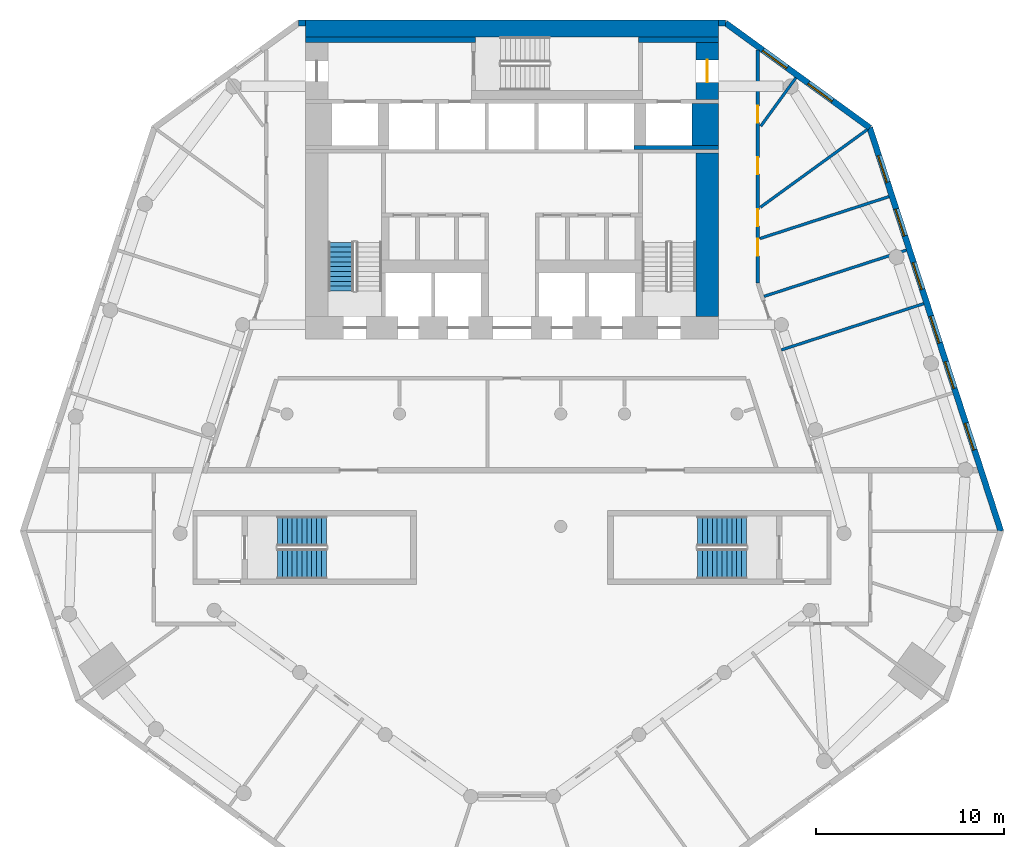
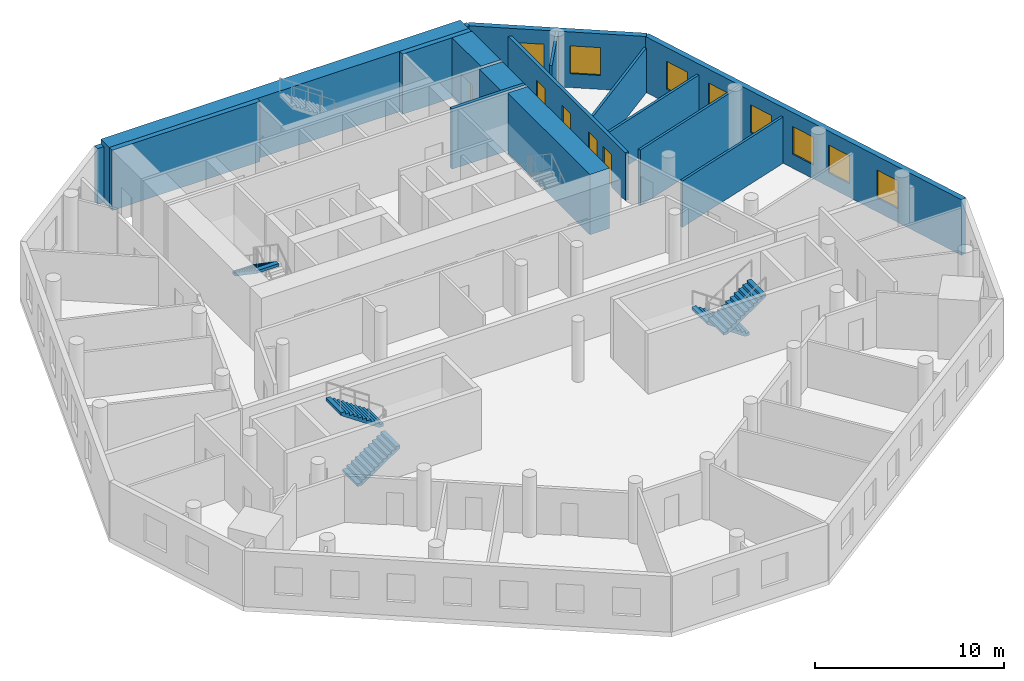
# One storey, part 6 of 9: 17 walls, 8 windows, 5 doors, 5 stair flights, 13 openings, 3 elements without a shape of their own.
"""IFC4 building model written with IfcOpenShell, lengths in metres."""

import ifcopenshell
import ifcopenshell.guid

model = None  # the IFC model being written
_history = None  # IfcOwnerHistory: only IFC2X3 demands one
_inside = {}  # id of a spatial element -> (the spatial element, [elements in it])
_under = {}  # id of a project, library or spatial element -> (it, [spatial elements below it])
_declared = {}  # id of a project -> (the project, [libraries it declares])
_typed = {}  # id of a type object -> (the type object, [elements of that type])
_made_of = {}  # id of a material, layer set ... -> (it, [elements and type objects made of it])


def new_model(schema):
    """Start an empty IFC model of exactly this schema.

    Asked for "IFC4X3", IfcOpenShell would pick the latest addendum, in which some entities
    have other attributes; the version numbers below select the first issue.
    IFC2X3 requires an IfcOwnerHistory on every rooted entity: one is made here for all.
    """
    global model, _history
    if schema == "IFC4X3":
        model = ifcopenshell.file(schema_version=(4, 3, 0, 0))
    else:
        model = ifcopenshell.file(schema=schema)
    _inside.clear()
    _under.clear()
    _declared.clear()
    _typed.clear()
    _made_of.clear()
    _history = None
    if model.schema == "IFC2X3":
        org = make("IfcOrganization", Name="unknown")
        user = make(
            "IfcPersonAndOrganization",
            ThePerson=make("IfcPerson", FamilyName="unknown"),
            TheOrganization=org,
        )
        app = make(
            "IfcApplication",
            ApplicationDeveloper=org,
            Version="unknown",
            ApplicationFullName="unknown",
            ApplicationIdentifier="unknown",
        )
        _history = make(
            "IfcOwnerHistory",
            OwningUser=user,
            OwningApplication=app,
            ChangeAction="ADDED",
            CreationDate=0,
        )
    return model


def make(cls, **values):
    """One entity of the class cls with the attributes given. An attribute that is None is left unset."""
    return model.create_entity(
        cls, **{name: value for name, value in values.items() if value is not None}
    )


def rooted(cls, **values):
    """An entity with a GlobalId (a new one), such as an element, a storey or a relation."""
    return make(cls, GlobalId=ifcopenshell.guid.new(), OwnerHistory=_history, **values)


def si_unit(unit_type, name, prefix=None):
    """IfcSIUnit, for example si_unit("LENGTHUNIT", "METRE", prefix="MILLI")."""
    return make("IfcSIUnit", UnitType=unit_type, Prefix=prefix, Name=name)


def assignment(units):
    """IfcUnitAssignment: the units of a project."""
    return None if units is None else make("IfcUnitAssignment", Units=units)


def point(xyz):
    """IfcCartesianPoint."""
    return None if xyz is None else make("IfcCartesianPoint", Coordinates=xyz)


def direction(xyz):
    """IfcDirection."""
    return None if xyz is None else make("IfcDirection", DirectionRatios=xyz)


def frame(location, z_axis=None, x_axis=None):
    """IfcAxis2Placement3D, a coordinate frame: its origin and axes. An axis left out is left unset."""
    return make(
        "IfcAxis2Placement3D",
        Location=point(location),
        Axis=direction(z_axis),
        RefDirection=direction(x_axis),
    )


def frame_2d(location, x_axis=None):
    """IfcAxis2Placement2D, a coordinate frame in the plane: its origin and x axis."""
    return make(
        "IfcAxis2Placement2D", Location=point(location), RefDirection=direction(x_axis)
    )


def origin():
    """The frame at (0, 0, 0) with its axes left unset."""
    return frame((0.0, 0.0, 0.0))


def place(relative_to, where):
    """IfcLocalPlacement: puts the frame where relative to a parent placement (None: the world)."""
    return make(
        "IfcLocalPlacement", PlacementRelTo=relative_to, RelativePlacement=where
    )


def context(
    kind, dimensions, precision=None, world=None, true_north=None, identifier=None
):
    """IfcGeometricRepresentationContext, for example the 3D "Model" context."""
    return make(
        "IfcGeometricRepresentationContext",
        ContextIdentifier=identifier,
        ContextType=kind,
        CoordinateSpaceDimension=dimensions,
        Precision=precision,
        WorldCoordinateSystem=world,
        TrueNorth=true_north,
    )


def subcontext(parent, identifier, kind, view, scale=None):
    """IfcGeometricRepresentationSubContext, for example "Body" below "Model"."""
    return make(
        "IfcGeometricRepresentationSubContext",
        ContextIdentifier=identifier,
        ContextType=kind,
        ParentContext=parent,
        TargetScale=scale,
        TargetView=view,
    )


def project(units=None, contexts=None):
    """IfcProject with its units and contexts."""
    return rooted(
        "IfcProject",
        Name="project",
        RepresentationContexts=contexts,
        UnitsInContext=assignment(units),
    )


def spatial(cls, under=None, at=None, **own):
    """A site, building, storey or space (cls), placed at a placement, below another one or the project."""
    s = rooted(cls, ObjectPlacement=at, **own)
    if under is not None:
        _under.setdefault(under.id(), (under, []))[1].append(s)
    return s


def polyline(points):
    """IfcPolyline through the points."""
    return make("IfcPolyline", Points=[point(p) for p in points])


def profile(cls, at=None, kind="AREA", **sizes):
    """A parametric profile (cls). Its sizes go by their IFC names, for example OverallWidth=200.0."""
    return make(cls, ProfileType=kind, Position=at, **sizes)


def rectangle(**sizes):
    """IfcRectangleProfileDef."""
    return profile("IfcRectangleProfileDef", **sizes)


def outline(outer, holes=None, kind="AREA"):
    """IfcArbitraryClosedProfileDef: a profile drawn as a closed curve; with holes, ...WithVoids."""
    if holes is None:
        return make("IfcArbitraryClosedProfileDef", ProfileType=kind, OuterCurve=outer)
    return make(
        "IfcArbitraryProfileDefWithVoids",
        ProfileType=kind,
        OuterCurve=outer,
        InnerCurves=holes,
    )


def extrude(swept, where, along, depth):
    """IfcExtrudedAreaSolid: the profile swept, set in the frame where, extruded along a direction by depth."""
    return make(
        "IfcExtrudedAreaSolid",
        SweptArea=swept,
        Position=where,
        ExtrudedDirection=direction(along),
        Depth=depth,
    )


def shape(context_of_items, identifier, shape_type, items):
    """IfcShapeRepresentation: the items that make up one representation, for example the "Body"."""
    return make(
        "IfcShapeRepresentation",
        ContextOfItems=context_of_items,
        RepresentationIdentifier=identifier,
        RepresentationType=shape_type,
        Items=items,
    )


def material(Name=None, Category=None):
    """IfcMaterial."""
    return make("IfcMaterial", Name=Name, Category=Category)


def layer(
    of_material, thickness, ventilated=None, Name=None, Category=None, Priority=None
):
    """IfcMaterialLayer: one layer of a wall or slab, of a material (None: an air gap)."""
    return make(
        "IfcMaterialLayer",
        Material=of_material,
        LayerThickness=thickness,
        IsVentilated=ventilated,
        Name=Name,
        Category=Category,
        Priority=Priority,
    )


def layer_set(layers, Name=None):
    """IfcMaterialLayerSet."""
    return make("IfcMaterialLayerSet", MaterialLayers=layers, LayerSetName=Name)


def made_of(thing, what):
    """Note that an element or type object is made of a material, layer set ...; save() writes the relation."""
    if what is not None:
        _made_of.setdefault(what.id(), (what, []))[1].append(thing)
    return thing


def type_object(cls, material=None, **own):
    """A type object (cls), such as IfcWallType, which elements share."""
    return made_of(rooted(cls, **own), material)


def element(
    cls,
    number,
    at=None,
    inside=None,
    cuts=None,
    type_object=None,
    material=None,
    context=None,
    identifier="Body",
    shape_type=None,
    held_by="IfcProductDefinitionShape",
    body=None,
    shapes=None,
    **own,
):
    """One element of the class cls, such as IfcWall. Its Tag is "e" and its number.

    at: its placement. inside: the storey or other place that contains it. cuts: it is an
    opening in that element (IfcRelVoidsElement). A single representation is given by context,
    identifier, shape_type and body (its items); several are given by shapes. held_by: the class
    of the entity that holds the representations. save() writes the other relations.
    """
    e = rooted(cls, Tag="e%d" % number, ObjectPlacement=at, **own)
    if body is not None:
        shapes = [shape(context, identifier, shape_type, body)]
    if shapes is not None:
        e.Representation = make(held_by, Representations=shapes)
    if inside is not None:
        _inside.setdefault(inside.id(), (inside, []))[1].append(e)
    if cuts is not None:
        rooted(
            "IfcRelVoidsElement", RelatingBuildingElement=cuts, RelatedOpeningElement=e
        )
    if type_object is not None:
        _typed.setdefault(type_object.id(), (type_object, []))[1].append(e)
    return made_of(e, material)


def fill(opening, filler):
    """IfcRelFillsElement: the door or window that sits in an opening."""
    return rooted(
        "IfcRelFillsElement",
        RelatingOpeningElement=opening,
        RelatedBuildingElement=filler,
    )


def aggregate(whole, parts):
    """IfcRelAggregates: a whole, such as a stair, and the parts it consists of."""
    return rooted("IfcRelAggregates", RelatingObject=whole, RelatedObjects=parts)


def save(model, path):
    """Write the relations noted so far, then the file.

    IfcRelAggregates (storeys below a building ...), IfcRelContainedInSpatialStructure (elements
    in a storey), IfcRelDefinesByType, IfcRelAssociatesMaterial and IfcRelDeclares: one each for
    every whole, place, type object, material and project.
    """
    for whole, parts in _under.values():
        aggregate(whole, parts)
    for where, things in _inside.values():
        rooted(
            "IfcRelContainedInSpatialStructure",
            RelatedElements=things,
            RelatingStructure=where,
        )
    for kind, things in _typed.values():
        rooted("IfcRelDefinesByType", RelatedObjects=things, RelatingType=kind)
    for what, things in _made_of.values():
        rooted("IfcRelAssociatesMaterial", RelatedObjects=things, RelatingMaterial=what)
    for by, libraries in _declared.values():
        rooted("IfcRelDeclares", RelatingContext=by, RelatedDefinitions=libraries)
    model.write(path)


model = new_model("IFC4")

# Units and contexts
model_context = context("Model", 3, precision=1e-05, world=origin(), true_north=direction((0.0, 1.0)))
body_context = subcontext(model_context, "Body", "Model", "MODEL_VIEW")
ifc_project = project(units=[si_unit("LENGTHUNIT", "METRE"), si_unit("AREAUNIT", "SQUARE_METRE"), si_unit("VOLUMEUNIT", "CUBIC_METRE"), si_unit("PLANEANGLEUNIT", "RADIAN"), si_unit("MASSUNIT", "GRAM", prefix="KILO")], contexts=[model_context])

# Site, building, storey
site_placement = place(None, origin())
site = spatial("IfcSite", under=ifc_project, at=site_placement, CompositionType="ELEMENT")
building_placement = place(site_placement, origin())
building = spatial("IfcBuilding", under=site, at=building_placement, Name="White Candle Pilgrim Tower", CompositionType="ELEMENT")
storey_placement = place(building_placement, frame((0.0, 0.0, 62.39990234375)))
storey = spatial("IfcBuildingStorey", under=building, at=storey_placement, Name="L12", CompositionType="ELEMENT", Elevation=62.39990234375)

# Wall, opening, door
ifc_material_1 = material(Name="Concrete C70/85", Category="concrete")
ifc_layer_1 = layer(ifc_material_1, 1.199951171875)
ifc_layer_set_1 = layer_set([ifc_layer_1], Name="Core wall 1200 mm Concrete C70/85")
wall_type_1 = type_object("IfcWallType", Name="Core wall 1200 mm Concrete C70/85", PredefinedType="SHEAR", material=ifc_layer_set_1)
wall_1_placement = place(storey_placement, frame((80.39990234375, 83.75, 0.0), z_axis=(0.0, 0.0, 1.0), x_axis=(0.0, 1.0, 0.0)))
wall_1 = element("IfcWall", 1, at=wall_1_placement, inside=storey, type_object=wall_type_1, Name="WL-L12-C48", PredefinedType="SHEAR", context=body_context, shape_type="SweptSolid", body=[
    extrude(rectangle(XDim=3.050048828125, YDim=1.199951171875, at=frame_2d((1.52490234375, 0.0))), origin(), (0.0, 0.0, 1.0), 3.900146484375),
])
opening_1_placement = place(wall_1_placement, frame((0.925048828125, 0.0, 0.0)))
opening_1 = element("IfcOpeningElement", 2, at=opening_1_placement, cuts=wall_1, Name="Opening T03-006", PredefinedType="OPENING", context=body_context, shape_type="SweptSolid", body=[
    extrude(rectangle(XDim=1.199951171875, YDim=2.10009765625, at=frame_2d((0.60009765625, 1.050048828125))), frame((0.0, 0.60986328125, 0.0), z_axis=(0.0, -1.0, 0.0), x_axis=(1.0, 0.0, 0.0)), (0.0, 0.0, 1.0), 1.219970703125),
])
ifc_material_2 = material(Name="Steel door leaf", Category="steel")
door_type_1 = type_object("IfcDoorType", Name="Fire door 1200 x 2100 EI 30", OperationType="NOTDEFINED", PredefinedType="DOOR", material=ifc_material_2)
door_1_placement = place(opening_1_placement, origin())
door_1 = element("IfcDoor", 3, at=door_1_placement, inside=storey, type_object=door_type_1, Name="Door T03-006", OperationType="SINGLE_SWING_RIGHT", OverallHeight=2.10009765625, OverallWidth=1.199951171875, PredefinedType="DOOR", context=body_context, shape_type="SweptSolid", body=[
    extrude(rectangle(XDim=1.199951171875, YDim=2.10009765625, at=frame_2d((0.60009765625, 1.050048828125))), frame((0.0, 0.02490234375, 0.0), z_axis=(0.0, -1.0, 0.0), x_axis=(1.0, 0.0, 0.0)), (0.0, 0.0, 1.0), 0.050048828125),
])
fill(opening_1, door_1)

# Walls
ifc_layer_2 = layer(ifc_material_1, 1.39990234375)
ifc_layer_set_2 = layer_set([ifc_layer_2], Name="Core wall 1400 mm Concrete C70/85")
wall_type_2 = type_object("IfcWallType", Name="Core wall 1400 mm Concrete C70/85", PredefinedType="SHEAR", material=ifc_layer_set_2)
wall_2_placement = place(storey_placement, frame((80.300048828125, 81.300048828125, 0.0), z_axis=(0.0, 0.0, 1.0), x_axis=(0.0, 1.0, 0.0)))
element("IfcWall", 4, at=wall_2_placement, inside=storey, type_object=wall_type_2, Name="WL-L12-C44", PredefinedType="SHEAR", context=body_context, shape_type="SweptSolid", body=[
    extrude(rectangle(XDim=2.25, YDim=1.39990234375, at=frame_2d((1.125, 0.0))), origin(), (0.0, 0.0, 1.0), 3.900146484375),
])
ifc_layer_3 = layer(ifc_material_1, 0.199951171875)
ifc_layer_set_3 = layer_set([ifc_layer_3], Name="Core wall 200 mm Concrete C70/85")
wall_type_3 = type_object("IfcWallType", Name="Core wall 200 mm Concrete C70/85", PredefinedType="SHEAR", material=ifc_layer_set_3)
wall_3_placement = place(storey_placement, frame((76.5, 81.199951171875, 0.0), z_axis=(0.0, 0.0, 1.0), x_axis=(1.0, 0.0, 0.0)))
element("IfcWall", 5, at=wall_3_placement, inside=storey, type_object=wall_type_3, Name="WL-L12-C40", PredefinedType="SHEAR", context=body_context, shape_type="SweptSolid", body=[
    extrude(rectangle(XDim=4.5, YDim=0.199951171875, at=frame_2d((2.25, 0.0))), origin(), (0.0, 0.0, 1.0), 3.900146484375),
])

# Wall, openings, doors
ifc_material_3 = material(Name="Gypsum board on steel studs", Category="steel")
ifc_layer_4 = layer(ifc_material_3, 0.199951171875)
ifc_layer_set_4 = layer_set([ifc_layer_4], Name="Corridor wall 200 mm EI 45")
wall_type_4 = type_object("IfcWallType", Name="Corridor wall 200 mm EI 45", PredefinedType="PARTITIONING", material=ifc_layer_set_4)
wall_4_placement = place(storey_placement, frame((83.10009765625, 86.396240234375, 0.0), z_axis=(0.0, 0.0, 1.0), x_axis=(0.0, -1.0, 0.0)))
wall_4 = element("IfcWall", 6, at=wall_4_placement, inside=storey, type_object=wall_type_4, Name="WL-L12-P004", PredefinedType="PARTITIONING", context=body_context, shape_type="SweptSolid", body=[
    extrude(rectangle(XDim=12.40478515625, YDim=0.199951171875, at=frame_2d((6.202392578125, 0.0))), origin(), (0.0, 0.0, 1.0), 3.10009765625),
])
opening_2_placement = place(wall_4_placement, frame((2.971435546875, 0.0, 0.0)))
opening_2 = element("IfcOpeningElement", 7, at=opening_2_placement, cuts=wall_4, Name="Opening T03-121", PredefinedType="OPENING", context=body_context, shape_type="SweptSolid", body=[
    extrude(rectangle(XDim=0.89990234375, YDim=2.10009765625, at=frame_2d((0.449951171875, 1.050048828125))), frame((0.0, 0.10986328125, 0.0), z_axis=(0.0, -1.0, 0.0), x_axis=(1.0, 0.0, 0.0)), (0.0, 0.0, 1.0), 0.219970703125),
])
opening_3_placement = place(wall_4_placement, frame((5.717041015625, 0.0, 0.0)))
opening_3 = element("IfcOpeningElement", 8, at=opening_3_placement, cuts=wall_4, Name="Opening T03-122", PredefinedType="OPENING", context=body_context, shape_type="SweptSolid", body=[
    extrude(rectangle(XDim=0.89990234375, YDim=2.10009765625, at=frame_2d((0.449951171875, 1.050048828125))), frame((0.0, 0.10986328125, 0.0), z_axis=(0.0, -1.0, 0.0), x_axis=(1.0, 0.0, 0.0)), (0.0, 0.0, 1.0), 0.219970703125),
])
opening_4_placement = place(wall_4_placement, frame((8.486572265625, 0.0, 0.0)))
opening_4 = element("IfcOpeningElement", 9, at=opening_4_placement, cuts=wall_4, Name="Opening T03-123", PredefinedType="OPENING", context=body_context, shape_type="SweptSolid", body=[
    extrude(rectangle(XDim=0.89990234375, YDim=2.10009765625, at=frame_2d((0.449951171875, 1.050048828125))), frame((0.0, 0.10986328125, 0.0), z_axis=(0.0, -1.0, 0.0), x_axis=(1.0, 0.0, 0.0)), (0.0, 0.0, 1.0), 0.219970703125),
])
opening_5_placement = place(wall_4_placement, frame((10.068603515625, 0.0, 0.0)))
opening_5 = element("IfcOpeningElement", 10, at=opening_5_placement, cuts=wall_4, Name="Opening T03-124", PredefinedType="OPENING", context=body_context, shape_type="SweptSolid", body=[
    extrude(rectangle(XDim=0.89990234375, YDim=2.10009765625, at=frame_2d((0.449951171875, 1.050048828125))), frame((0.0, 0.10986328125, 0.0), z_axis=(0.0, -1.0, 0.0), x_axis=(1.0, 0.0, 0.0)), (0.0, 0.0, 1.0), 0.219970703125),
])
door_type_2 = type_object("IfcDoorType", Name="Fire door 900 x 2100 EI 30", OperationType="NOTDEFINED", PredefinedType="DOOR", material=ifc_material_2)
door_2_placement = place(opening_2_placement, origin())
door_2 = element("IfcDoor", 11, at=door_2_placement, inside=storey, type_object=door_type_2, Name="Door T03-121", OperationType="SINGLE_SWING_LEFT", OverallHeight=2.10009765625, OverallWidth=0.89990234375, PredefinedType="DOOR", context=body_context, shape_type="SweptSolid", body=[
    extrude(rectangle(XDim=0.89990234375, YDim=2.10009765625, at=frame_2d((0.449951171875, 1.050048828125))), frame((0.0, 0.02490234375, 0.0), z_axis=(0.0, -1.0, 0.0), x_axis=(1.0, 0.0, 0.0)), (0.0, 0.0, 1.0), 0.050048828125),
])
fill(opening_2, door_2)
door_3_placement = place(opening_3_placement, origin())
door_3 = element("IfcDoor", 12, at=door_3_placement, inside=storey, type_object=door_type_2, Name="Door T03-122", OperationType="SINGLE_SWING_RIGHT", OverallHeight=2.10009765625, OverallWidth=0.89990234375, PredefinedType="DOOR", context=body_context, shape_type="SweptSolid", body=[
    extrude(rectangle(XDim=0.89990234375, YDim=2.10009765625, at=frame_2d((0.449951171875, 1.050048828125))), frame((0.0, 0.02490234375, 0.0), z_axis=(0.0, -1.0, 0.0), x_axis=(1.0, 0.0, 0.0)), (0.0, 0.0, 1.0), 0.050048828125),
])
fill(opening_3, door_3)
door_4_placement = place(opening_4_placement, origin())
door_4 = element("IfcDoor", 13, at=door_4_placement, inside=storey, type_object=door_type_2, Name="Door T03-123", OperationType="SINGLE_SWING_LEFT", OverallHeight=2.10009765625, OverallWidth=0.89990234375, PredefinedType="DOOR", context=body_context, shape_type="SweptSolid", body=[
    extrude(rectangle(XDim=0.89990234375, YDim=2.10009765625, at=frame_2d((0.449951171875, 1.050048828125))), frame((0.0, 0.02490234375, 0.0), z_axis=(0.0, -1.0, 0.0), x_axis=(1.0, 0.0, 0.0)), (0.0, 0.0, 1.0), 0.050048828125),
])
fill(opening_4, door_4)
door_5_placement = place(opening_5_placement, origin())
door_5 = element("IfcDoor", 14, at=door_5_placement, inside=storey, type_object=door_type_2, Name="Door T03-124", OperationType="SINGLE_SWING_RIGHT", OverallHeight=2.10009765625, OverallWidth=0.89990234375, PredefinedType="DOOR", context=body_context, shape_type="SweptSolid", body=[
    extrude(rectangle(XDim=0.89990234375, YDim=2.10009765625, at=frame_2d((0.449951171875, 1.050048828125))), frame((0.0, 0.02490234375, 0.0), z_axis=(0.0, -1.0, 0.0), x_axis=(1.0, 0.0, 0.0)), (0.0, 0.0, 1.0), 0.050048828125),
])
fill(opening_5, door_5)

# Wall, openings, windows
ifc_material_4 = material(Name="Precast concrete C40/50", Category="concrete")
ifc_layer_5 = layer(ifc_material_4, 0.320068359375)
ifc_layer_set_5 = layer_set([ifc_layer_5], Name="Facade wall EW1 precast concrete C40/50 pier wall with timber-lined reveals")
wall_type_5 = type_object("IfcWallType", Name="Facade wall EW1 precast concrete C40/50 pier wall with timber-lined reveals", PredefinedType="SOLIDWALL", material=ifc_layer_set_5)
wall_5_placement = place(storey_placement, frame((96.062255859375, 60.747314453125, 0.0), z_axis=(0.0, 0.0, 1.0), x_axis=(-0.309021621323, 0.951055012896, 0.0)))
wall_5 = element("IfcWall", 15, at=wall_5_placement, inside=storey, type_object=wall_type_5, Name="Facade wall L12 ENE", PredefinedType="SOLIDWALL", context=body_context, shape_type="SweptSolid", body=[
    extrude(rectangle(XDim=22.612548828125, YDim=0.320068359375, at=frame_2d((11.30615234375, 0.0))), origin(), (0.0, 0.0, 1.0), 3.60009765625),
])
opening_6_placement = place(wall_5_placement, frame((4.556396484375, 0.0, 0.89990234375)))
opening_6 = element("IfcOpeningElement", 16, at=opening_6_placement, cuts=wall_5, Name="Opening W1", PredefinedType="OPENING", context=body_context, shape_type="SweptSolid", body=[
    extrude(rectangle(XDim=1.5, YDim=1.800048828125, at=frame_2d((0.75, 0.89990234375))), frame((0.0, 0.169921875, 0.0), z_axis=(0.0, -1.0, 0.0), x_axis=(1.0, 0.0, 0.0)), (0.0, 0.0, 1.0), 0.340087890625),
])
opening_7_placement = place(wall_5_placement, frame((8.00634765625, 0.0, 0.89990234375)))
opening_7 = element("IfcOpeningElement", 17, at=opening_7_placement, cuts=wall_5, Name="Opening W1", PredefinedType="OPENING", context=body_context, shape_type="SweptSolid", body=[
    extrude(rectangle(XDim=1.5, YDim=1.800048828125, at=frame_2d((0.75, 0.89990234375))), frame((0.0, 0.169921875, 0.0), z_axis=(0.0, -1.0, 0.0), x_axis=(1.0, 0.0, 0.0)), (0.0, 0.0, 1.0), 0.340087890625),
])
opening_8_placement = place(wall_5_placement, frame((10.556396484375, 0.0, 0.89990234375)))
opening_8 = element("IfcOpeningElement", 18, at=opening_8_placement, cuts=wall_5, Name="Opening W1", PredefinedType="OPENING", context=body_context, shape_type="SweptSolid", body=[
    extrude(rectangle(XDim=1.5, YDim=1.800048828125, at=frame_2d((0.75, 0.89990234375))), frame((0.0, 0.169921875, 0.0), z_axis=(0.0, -1.0, 0.0), x_axis=(1.0, 0.0, 0.0)), (0.0, 0.0, 1.0), 0.340087890625),
])
opening_9_placement = place(wall_5_placement, frame((13.556396484375, 0.0, 0.89990234375)))
opening_9 = element("IfcOpeningElement", 19, at=opening_9_placement, cuts=wall_5, Name="Opening W1", PredefinedType="OPENING", context=body_context, shape_type="SweptSolid", body=[
    extrude(rectangle(XDim=1.5, YDim=1.800048828125, at=frame_2d((0.75, 0.89990234375))), frame((0.0, 0.169921875, 0.0), z_axis=(0.0, -1.0, 0.0), x_axis=(1.0, 0.0, 0.0)), (0.0, 0.0, 1.0), 0.340087890625),
])
opening_10_placement = place(wall_5_placement, frame((16.556396484375, 0.0, 0.89990234375)))
opening_10 = element("IfcOpeningElement", 20, at=opening_10_placement, cuts=wall_5, Name="Opening W1", PredefinedType="OPENING", context=body_context, shape_type="SweptSolid", body=[
    extrude(rectangle(XDim=1.5, YDim=1.800048828125, at=frame_2d((0.75, 0.89990234375))), frame((0.0, 0.169921875, 0.0), z_axis=(0.0, -1.0, 0.0), x_axis=(1.0, 0.0, 0.0)), (0.0, 0.0, 1.0), 0.340087890625),
])
opening_11_placement = place(wall_5_placement, frame((19.556396484375, 0.0, 0.89990234375)))
opening_11 = element("IfcOpeningElement", 21, at=opening_11_placement, cuts=wall_5, Name="Opening W1", PredefinedType="OPENING", context=body_context, shape_type="SweptSolid", body=[
    extrude(rectangle(XDim=1.5, YDim=1.800048828125, at=frame_2d((0.75, 0.89990234375))), frame((0.0, 0.169921875, 0.0), z_axis=(0.0, -1.0, 0.0), x_axis=(1.0, 0.0, 0.0)), (0.0, 0.0, 1.0), 0.340087890625),
])
ifc_material_5 = material(Name="Timber frame with triple glazing", Category="wood")
window_type_1 = type_object("IfcWindowType", Name="Window W1 1500x1800 timber frame triple glazing", PartitioningType="SINGLE_PANEL", PredefinedType="WINDOW", material=ifc_material_5)
window_1_placement = place(opening_6_placement, origin())
window_1 = element("IfcWindow", 22, at=window_1_placement, inside=storey, type_object=window_type_1, Name="Window W1 L12 ENE 2", OverallHeight=1.800048828125, OverallWidth=1.5, PartitioningType="SINGLE_PANEL", PredefinedType="WINDOW", context=body_context, shape_type="SweptSolid", body=[
    extrude(rectangle(XDim=1.5, YDim=1.800048828125, at=frame_2d((0.75, 0.89990234375))), frame((0.0, 0.070068359375, 0.0), z_axis=(0.0, -1.0, 0.0), x_axis=(1.0, 0.0, 0.0)), (0.0, 0.0, 1.0), 0.06005859375),
])
fill(opening_6, window_1)
window_2_placement = place(opening_7_placement, origin())
window_2 = element("IfcWindow", 23, at=window_2_placement, inside=storey, type_object=window_type_1, Name="Window W1 L12 ENE 3", OverallHeight=1.800048828125, OverallWidth=1.5, PartitioningType="SINGLE_PANEL", PredefinedType="WINDOW", context=body_context, shape_type="SweptSolid", body=[
    extrude(rectangle(XDim=1.5, YDim=1.800048828125, at=frame_2d((0.75, 0.89990234375))), frame((0.0, 0.070068359375, 0.0), z_axis=(0.0, -1.0, 0.0), x_axis=(1.0, 0.0, 0.0)), (0.0, 0.0, 1.0), 0.06005859375),
])
fill(opening_7, window_2)
window_3_placement = place(opening_8_placement, origin())
window_3 = element("IfcWindow", 24, at=window_3_placement, inside=storey, type_object=window_type_1, Name="Window W1 L12 ENE 4", OverallHeight=1.800048828125, OverallWidth=1.5, PartitioningType="SINGLE_PANEL", PredefinedType="WINDOW", context=body_context, shape_type="SweptSolid", body=[
    extrude(rectangle(XDim=1.5, YDim=1.800048828125, at=frame_2d((0.75, 0.89990234375))), frame((0.0, 0.070068359375, 0.0), z_axis=(0.0, -1.0, 0.0), x_axis=(1.0, 0.0, 0.0)), (0.0, 0.0, 1.0), 0.06005859375),
])
fill(opening_8, window_3)
window_4_placement = place(opening_9_placement, origin())
window_4 = element("IfcWindow", 25, at=window_4_placement, inside=storey, type_object=window_type_1, Name="Window W1 L12 ENE 5", OverallHeight=1.800048828125, OverallWidth=1.5, PartitioningType="SINGLE_PANEL", PredefinedType="WINDOW", context=body_context, shape_type="SweptSolid", body=[
    extrude(rectangle(XDim=1.5, YDim=1.800048828125, at=frame_2d((0.75, 0.89990234375))), frame((0.0, 0.070068359375, 0.0), z_axis=(0.0, -1.0, 0.0), x_axis=(1.0, 0.0, 0.0)), (0.0, 0.0, 1.0), 0.06005859375),
])
fill(opening_9, window_4)
window_5_placement = place(opening_10_placement, origin())
window_5 = element("IfcWindow", 26, at=window_5_placement, inside=storey, type_object=window_type_1, Name="Window W1 L12 ENE 6", OverallHeight=1.800048828125, OverallWidth=1.5, PartitioningType="SINGLE_PANEL", PredefinedType="WINDOW", context=body_context, shape_type="SweptSolid", body=[
    extrude(rectangle(XDim=1.5, YDim=1.800048828125, at=frame_2d((0.75, 0.89990234375))), frame((0.0, 0.070068359375, 0.0), z_axis=(0.0, -1.0, 0.0), x_axis=(1.0, 0.0, 0.0)), (0.0, 0.0, 1.0), 0.06005859375),
])
fill(opening_10, window_5)
window_6_placement = place(opening_11_placement, origin())
window_6 = element("IfcWindow", 27, at=window_6_placement, inside=storey, type_object=window_type_1, Name="Window W1 L12 ENE 7", OverallHeight=1.800048828125, OverallWidth=1.5, PartitioningType="SINGLE_PANEL", PredefinedType="WINDOW", context=body_context, shape_type="SweptSolid", body=[
    extrude(rectangle(XDim=1.5, YDim=1.800048828125, at=frame_2d((0.75, 0.89990234375))), frame((0.0, 0.070068359375, 0.0), z_axis=(0.0, -1.0, 0.0), x_axis=(1.0, 0.0, 0.0)), (0.0, 0.0, 1.0), 0.06005859375),
])
fill(opening_11, window_6)

wall_6_placement = place(storey_placement, frame((89.074462890625, 82.253173828125, 0.0), z_axis=(0.0, 0.0, 1.0), x_axis=(-0.809007020713, 0.587798979616, 0.0)))
wall_6 = element("IfcWall", 28, at=wall_6_placement, inside=storey, type_object=wall_type_5, Name="Facade wall L12 NE chamfer", PredefinedType="SOLIDWALL", context=body_context, shape_type="SweptSolid", body=[
    extrude(rectangle(XDim=9.5048828125, YDim=0.320068359375, at=frame_2d((4.75244140625, 0.0))), origin(), (0.0, 0.0, 1.0), 3.60009765625),
])
opening_12_placement = place(wall_6_placement, frame((2.452392578125, 0.0, 0.89990234375)))
opening_12 = element("IfcOpeningElement", 29, at=opening_12_placement, cuts=wall_6, Name="Opening W2", PredefinedType="OPENING", context=body_context, shape_type="SweptSolid", body=[
    extrude(rectangle(XDim=1.60009765625, YDim=1.800048828125, at=frame_2d((0.800048828125, 0.89990234375))), frame((0.0, 0.169921875, 0.0), z_axis=(0.0, -1.0, 0.0), x_axis=(1.0, 0.0, 0.0)), (0.0, 0.0, 1.0), 0.340087890625),
])
opening_13_placement = place(wall_6_placement, frame((5.445068359375, 0.0, 0.89990234375)))
opening_13 = element("IfcOpeningElement", 30, at=opening_13_placement, cuts=wall_6, Name="Opening W2", PredefinedType="OPENING", context=body_context, shape_type="SweptSolid", body=[
    extrude(rectangle(XDim=1.60009765625, YDim=1.800048828125, at=frame_2d((0.800048828125, 0.89990234375))), frame((0.0, 0.169921875, 0.0), z_axis=(0.0, -1.0, 0.0), x_axis=(1.0, 0.0, 0.0)), (0.0, 0.0, 1.0), 0.340087890625),
])
window_type_2 = type_object("IfcWindowType", Name="Window W2 1600x1800 timber frame triple glazing", PartitioningType="SINGLE_PANEL", PredefinedType="WINDOW", material=ifc_material_5)
window_7_placement = place(opening_12_placement, origin())
window_7 = element("IfcWindow", 31, at=window_7_placement, inside=storey, type_object=window_type_2, Name="Window W2 L12 NE chamfer 1", OverallHeight=1.800048828125, OverallWidth=1.60009765625, PartitioningType="SINGLE_PANEL", PredefinedType="WINDOW", context=body_context, shape_type="SweptSolid", body=[
    extrude(rectangle(XDim=1.60009765625, YDim=1.800048828125, at=frame_2d((0.800048828125, 0.89990234375))), frame((0.0, 0.070068359375, 0.0), z_axis=(0.0, -1.0, 0.0), x_axis=(1.0, 0.0, 0.0)), (0.0, 0.0, 1.0), 0.06005859375),
])
fill(opening_12, window_7)
window_8_placement = place(opening_13_placement, origin())
window_8 = element("IfcWindow", 32, at=window_8_placement, inside=storey, type_object=window_type_2, Name="Window W2 L12 NE chamfer 2", OverallHeight=1.800048828125, OverallWidth=1.60009765625, PartitioningType="SINGLE_PANEL", PredefinedType="WINDOW", context=body_context, shape_type="SweptSolid", body=[
    extrude(rectangle(XDim=1.60009765625, YDim=1.800048828125, at=frame_2d((0.800048828125, 0.89990234375))), frame((0.0, 0.070068359375, 0.0), z_axis=(0.0, -1.0, 0.0), x_axis=(1.0, 0.0, 0.0)), (0.0, 0.0, 1.0), 0.06005859375),
])
fill(opening_13, window_8)

# Walls
for number, where, z_axis, x_axis, name in (
    (33, (81.385009765625, 87.840087890625, 0.0), (0.0, 0.0, 1.0), (-1.0, 0.0, 0.0), "Facade wall L12 N"),
    (34, (59.0, 87.840087890625, 0.0), (0.0, 0.0, 1.0), (-1.0, 0.0, 0.0), "Facade wall L12 N"),
):
    element("IfcWall", number, at=place(storey_placement, frame(where, z_axis=z_axis, x_axis=x_axis)), inside=storey, type_object=wall_type_5, Name=name, PredefinedType="SOLIDWALL", context=body_context, shape_type="SweptSolid", body=[
        extrude(rectangle(XDim=0.385009765625, YDim=0.320068359375, at=frame_2d((0.1923828125, 0.0))), origin(), (0.0, 0.0, 1.0), 3.60009765625),
    ])
ifc_layer_6 = layer(ifc_material_3, 0.14990234375)
ifc_layer_set_6 = layer_set([ifc_layer_6], Name="Partition 150 mm EI 60")
wall_type_6 = type_object("IfcWallType", Name="Partition 150 mm EI 60", PredefinedType="PARTITIONING", material=ifc_layer_set_6)
wall_7_placement = place(storey_placement, frame((88.9384765625, 82.154296875, 0.0), z_axis=(0.0, 0.0, 1.0), x_axis=(-0.809014980817, -0.587788023707, 0.0)))
element("IfcWall", 35, at=wall_7_placement, inside=storey, type_object=wall_type_6, Name="WL-L12-P023", PredefinedType="PARTITIONING", context=body_context, shape_type="SweptSolid", body=[
    extrude(rectangle(XDim=7.03857421875, YDim=0.14990234375, at=frame_2d((3.519287109375, 0.0))), origin(), (0.0, 0.0, 1.0), 2.900146484375),
])
wall_8_placement = place(storey_placement, frame((91.95263671875, 72.87744140625, 0.0), z_axis=(0.0, 0.0, 1.0), x_axis=(-0.951060595449, -0.309004439749, 0.0)))
element("IfcWall", 36, at=wall_8_placement, inside=storey, type_object=wall_type_6, Name="WL-L12-P035", PredefinedType="PARTITIONING", context=body_context, shape_type="SweptSolid", body=[
    extrude(rectangle(XDim=7.97998046875, YDim=0.14990234375, at=frame_2d((3.989990234375, 0.0))), origin(), (0.0, 0.0, 1.0), 3.0),
])
wall_9_placement = place(storey_placement, frame((91.025634765625, 75.730712890625, 0.0), z_axis=(0.0, 0.0, 1.0), x_axis=(-0.95105160396, -0.309032112578, 0.0)))
element("IfcWall", 37, at=wall_9_placement, inside=storey, type_object=wall_type_6, Name="WL-L12-P036", PredefinedType="PARTITIONING", context=body_context, shape_type="SweptSolid", body=[
    extrude(rectangle(XDim=7.97998046875, YDim=0.14990234375, at=frame_2d((3.989990234375, 0.0))), origin(), (0.0, 0.0, 1.0), 3.60009765625),
])
wall_10_placement = place(storey_placement, frame((90.098388671875, 78.583740234375, 0.0), z_axis=(0.0, 0.0, 1.0), x_axis=(-0.951057147206, -0.309015052624, 0.0)))
element("IfcWall", 38, at=wall_10_placement, inside=storey, type_object=wall_type_6, Name="WL-L12-P037", PredefinedType="PARTITIONING", context=body_context, shape_type="SweptSolid", body=[
    extrude(rectangle(XDim=7.22900390625, YDim=0.14990234375, at=frame_2d((3.614501953125, 0.0))), origin(), (0.0, 0.0, 1.0), 2.900146484375),
])
wall_11_placement = place(storey_placement, frame((85.1357421875, 84.917236328125, 0.0), z_axis=(0.0, 0.0, 1.0), x_axis=(-0.587771173364, -0.809027223128, 0.0)))
element("IfcWall", 39, at=wall_11_placement, inside=storey, type_object=wall_type_6, Name="WL-L12-P038", PredefinedType="PARTITIONING", context=body_context, shape_type="SweptSolid", body=[
    extrude(rectangle(XDim=3.18994140625, YDim=0.14990234375, at=frame_2d((1.594970703125, 0.0))), origin(), (0.0, 0.0, 1.0), 3.60009765625),
])
ifc_layer_7 = layer(ifc_material_1, 1.199951171875)
ifc_layer_set_7 = layer_set([ifc_layer_7], Name="Stair shaft wall 1200 mm Concrete C70/85")
wall_type_7 = type_object("IfcWallType", Name="Stair shaft wall 1200 mm Concrete C70/85", PredefinedType="SHEAR", material=ifc_layer_set_7)
wall_12_placement = place(storey_placement, frame((80.39990234375, 72.199951171875, 0.0), z_axis=(0.0, 0.0, 1.0), x_axis=(0.0, 1.0, 0.0)))
element("IfcWall", 40, at=wall_12_placement, inside=storey, type_object=wall_type_7, Name="WL-L12-C19", PredefinedType="SHEAR", context=body_context, shape_type="SweptSolid", body=[
    extrude(rectangle(XDim=8.699951171875, YDim=1.199951171875, at=frame_2d((4.35009765625, 0.0))), origin(), (0.0, 0.0, 1.0), 3.900146484375),
])
ifc_layer_8 = layer(ifc_material_1, 0.300048828125)
ifc_layer_set_8 = layer_set([ifc_layer_8], Name="Stair shaft wall 300 mm Concrete C70/85")
wall_type_8 = type_object("IfcWallType", Name="Stair shaft wall 300 mm Concrete C70/85", PredefinedType="SHEAR", material=ifc_layer_set_8)
wall_13_placement = place(storey_placement, frame((59.0, 86.949951171875, 0.0), z_axis=(0.0, 0.0, 1.0), x_axis=(1.0, 0.0, 0.0)))
element("IfcWall", 41, at=wall_13_placement, inside=storey, type_object=wall_type_8, Name="WL-L12-C51", PredefinedType="SHEAR", context=body_context, shape_type="SweptSolid", body=[
    extrude(rectangle(XDim=9.050048828125, YDim=0.300048828125, at=frame_2d((4.52490234375, 0.0))), origin(), (0.0, 0.0, 1.0), 3.900146484375),
])
wall_14_placement = place(storey_placement, frame((76.75, 86.949951171875, 0.0), z_axis=(0.0, 0.0, 1.0), x_axis=(1.0, 0.0, 0.0)))
element("IfcWall", 42, at=wall_14_placement, inside=storey, type_object=wall_type_8, Name="WL-L12-C52", PredefinedType="SHEAR", context=body_context, shape_type="SweptSolid", body=[
    extrude(rectangle(XDim=4.25, YDim=0.300048828125, at=frame_2d((2.125, 0.0))), origin(), (0.0, 0.0, 1.0), 3.900146484375),
])
ifc_layer_9 = layer(ifc_material_1, 0.89990234375)
ifc_layer_set_9 = layer_set([ifc_layer_9], Name="Stair shaft wall 900 mm Concrete C70/85")
wall_type_9 = type_object("IfcWallType", Name="Stair shaft wall 900 mm Concrete C70/85", PredefinedType="SHEAR", material=ifc_layer_set_9)
wall_15_placement = place(storey_placement, frame((59.0, 87.550048828125, 0.0), z_axis=(0.0, 0.0, 1.0), x_axis=(1.0, 0.0, 0.0)))
element("IfcWall", 43, at=wall_15_placement, inside=storey, type_object=wall_type_9, Name="WL-L12-C53", PredefinedType="SHEAR", context=body_context, shape_type="SweptSolid", body=[
    extrude(rectangle(XDim=22.0, YDim=0.89990234375, at=frame_2d((11.0, 0.0))), origin(), (0.0, 0.0, 1.0), 3.900146484375),
])

# Stair, stair flight
ifc_material_6 = material(Name="Concrete C40/50", Category="concrete")
stair_type_1 = type_object("IfcStairType", Name="Exit stair 1 flight width 1350 mm", PredefinedType="HALF_TURN_STAIR", material=ifc_material_6)
stair_1_placement = place(storey_placement, origin())
stair_1 = element("IfcStair", 44, at=stair_1_placement, inside=storey, type_object=stair_type_1, Name="L12 stair 1", PredefinedType="NOTDEFINED")
ifc_layer_10 = layer(ifc_material_6, 0.14990234375)
ifc_layer_set_10 = layer_set([ifc_layer_10], Name="Stair flight Concrete C40/50")
stair_flight_type = type_object("IfcStairFlightType", Name="Stair flight Concrete C40/50", PredefinedType="STRAIGHT", material=ifc_layer_set_10)
stair_flight_1_placement = place(storey_placement, frame((60.875, 76.14990234375, 1.9501953125), z_axis=(0.0, 0.0, 1.0), x_axis=(0.0, -1.0, 0.0)))
stair_flight_1 = element("IfcStairFlight", 45, at=stair_flight_1_placement, type_object=stair_flight_type, Name="ST1 flight 2", NumberOfRisers=11, NumberOfTreads=10, PredefinedType="NOTDEFINED", RiserHeight=0.177272727, TreadLength=0.26, context=body_context, shape_type="SweptSolid", body=[
    extrude(outline(polyline([(0.0, 0.0), (0.0, 0.17724609375), (0.260009765625, 0.17724609375), (0.260009765625, 0.3544921875), (0.52001953125, 0.3544921875), (0.52001953125, 0.53173828125), (0.780029296875, 0.53173828125), (0.780029296875, 0.708984375), (1.0400390625, 0.708984375), (1.0400390625, 0.886474609375), (1.300048828125, 0.886474609375), (1.300048828125, 1.063720703125), (1.56005859375, 1.063720703125), (1.56005859375, 1.240966796875), (1.820068359375, 1.240966796875), (1.820068359375, 1.418212890625), (2.080078125, 1.418212890625), (2.080078125, 1.595458984375), (2.340087890625, 1.595458984375), (2.340087890625, 1.772705078125), (2.60009765625, 1.772705078125), (2.60009765625, 1.949951171875), (2.60009765625, 1.59130859375), (0.26611328125, 0.0), (0.0, 0.0)])), frame((0.0, 0.675048828125, 0.0), z_axis=(0.0, -1.0, 0.0), x_axis=(1.0, 0.0, 0.0)), (0.0, 0.0, 1.0), 1.35009765625),
])
aggregate(stair_1, [stair_flight_1])

# Stair, stair flights
stair_type_2 = type_object("IfcStairType", Name="Exit stair 4 flight width 1600 mm", PredefinedType="HALF_TURN_STAIR", material=ifc_material_6)
stair_2_placement = place(storey_placement, origin())
stair_2 = element("IfcStair", 46, at=stair_2_placement, inside=storey, type_object=stair_type_2, Name="L12 stair 4", PredefinedType="NOTDEFINED")
stair_flight_2_placement = place(storey_placement, frame((82.5, 60.75, 0.0), z_axis=(0.0, 0.0, 1.0), x_axis=(-1.0, 0.0, 0.0)))
stair_flight_2 = element("IfcStairFlight", 47, at=stair_flight_2_placement, type_object=stair_flight_type, Name="ST4 flight 1", NumberOfRisers=11, NumberOfTreads=10, PredefinedType="NOTDEFINED", RiserHeight=0.177272727, TreadLength=0.26, context=body_context, shape_type="SweptSolid", body=[
    extrude(outline(polyline([(0.0, 0.0), (0.0, 0.17724609375), (0.260009765625, 0.17724609375), (0.260009765625, 0.3544921875), (0.52001953125, 0.3544921875), (0.52001953125, 0.53173828125), (0.780029296875, 0.53173828125), (0.780029296875, 0.708984375), (1.0400390625, 0.708984375), (1.0400390625, 0.886474609375), (1.300048828125, 0.886474609375), (1.300048828125, 1.063720703125), (1.56005859375, 1.063720703125), (1.56005859375, 1.240966796875), (1.820068359375, 1.240966796875), (1.820068359375, 1.418212890625), (2.080078125, 1.418212890625), (2.080078125, 1.595458984375), (2.340087890625, 1.595458984375), (2.340087890625, 1.772705078125), (2.60009765625, 1.772705078125), (2.60009765625, 1.949951171875), (2.60009765625, 1.59130859375), (0.26611328125, 0.0), (0.0, 0.0)])), frame((0.0, 0.800048828125, 0.0), z_axis=(0.0, -1.0, 0.0), x_axis=(1.0, 0.0, 0.0)), (0.0, 0.0, 1.0), 1.60009765625),
])
stair_flight_3_placement = place(storey_placement, frame((79.89990234375, 59.0, 1.9501953125), z_axis=(0.0, 0.0, 1.0), x_axis=(1.0, 0.0, 0.0)))
stair_flight_3 = element("IfcStairFlight", 48, at=stair_flight_3_placement, type_object=stair_flight_type, Name="ST4 flight 2", NumberOfRisers=11, NumberOfTreads=10, PredefinedType="NOTDEFINED", RiserHeight=0.177272727, TreadLength=0.26, context=body_context, shape_type="SweptSolid", body=[
    extrude(outline(polyline([(0.0, 0.0), (0.0, 0.17724609375), (0.260009765625, 0.17724609375), (0.260009765625, 0.3544921875), (0.52001953125, 0.3544921875), (0.52001953125, 0.53173828125), (0.780029296875, 0.53173828125), (0.780029296875, 0.708984375), (1.0400390625, 0.708984375), (1.0400390625, 0.886474609375), (1.300048828125, 0.886474609375), (1.300048828125, 1.063720703125), (1.56005859375, 1.063720703125), (1.56005859375, 1.240966796875), (1.820068359375, 1.240966796875), (1.820068359375, 1.418212890625), (2.080078125, 1.418212890625), (2.080078125, 1.595458984375), (2.340087890625, 1.595458984375), (2.340087890625, 1.772705078125), (2.60009765625, 1.772705078125), (2.60009765625, 1.949951171875), (2.60009765625, 1.59130859375), (0.26611328125, 0.0), (0.0, 0.0)])), frame((0.0, 0.800048828125, 0.0), z_axis=(0.0, -1.0, 0.0), x_axis=(1.0, 0.0, 0.0)), (0.0, 0.0, 1.0), 1.60009765625),
])
aggregate(stair_2, [stair_flight_2, stair_flight_3])

stair_type_3 = type_object("IfcStairType", Name="Exit stair 5 flight width 1600 mm", PredefinedType="HALF_TURN_STAIR", material=ifc_material_6)
stair_3_placement = place(storey_placement, origin())
stair_3 = element("IfcStair", 49, at=stair_3_placement, inside=storey, type_object=stair_type_3, Name="L12 stair 5", PredefinedType="NOTDEFINED")
stair_flight_4_placement = place(storey_placement, frame((57.5, 59.0, 0.0), z_axis=(0.0, 0.0, 1.0), x_axis=(1.0, 0.0, 0.0)))
stair_flight_4 = element("IfcStairFlight", 50, at=stair_flight_4_placement, type_object=stair_flight_type, Name="ST5 flight 1", NumberOfRisers=11, NumberOfTreads=10, PredefinedType="NOTDEFINED", RiserHeight=0.177272727, TreadLength=0.26, context=body_context, shape_type="SweptSolid", body=[
    extrude(outline(polyline([(0.0, 0.0), (0.0, 0.17724609375), (0.260009765625, 0.17724609375), (0.260009765625, 0.3544921875), (0.52001953125, 0.3544921875), (0.52001953125, 0.53173828125), (0.780029296875, 0.53173828125), (0.780029296875, 0.708984375), (1.0400390625, 0.708984375), (1.0400390625, 0.886474609375), (1.300048828125, 0.886474609375), (1.300048828125, 1.063720703125), (1.56005859375, 1.063720703125), (1.56005859375, 1.240966796875), (1.820068359375, 1.240966796875), (1.820068359375, 1.418212890625), (2.080078125, 1.418212890625), (2.080078125, 1.595458984375), (2.340087890625, 1.595458984375), (2.340087890625, 1.772705078125), (2.60009765625, 1.772705078125), (2.60009765625, 1.949951171875), (2.60009765625, 1.59130859375), (0.26611328125, 0.0), (0.0, 0.0)])), frame((0.0, 0.800048828125, 0.0), z_axis=(0.0, -1.0, 0.0), x_axis=(1.0, 0.0, 0.0)), (0.0, 0.0, 1.0), 1.60009765625),
])
stair_flight_5_placement = place(storey_placement, frame((60.10009765625, 60.75, 1.9501953125), z_axis=(0.0, 0.0, 1.0), x_axis=(-1.0, 0.0, 0.0)))
stair_flight_5 = element("IfcStairFlight", 51, at=stair_flight_5_placement, type_object=stair_flight_type, Name="ST5 flight 2", NumberOfRisers=11, NumberOfTreads=10, PredefinedType="NOTDEFINED", RiserHeight=0.177272727, TreadLength=0.26, context=body_context, shape_type="SweptSolid", body=[
    extrude(outline(polyline([(0.0, 0.0), (0.0, 0.17724609375), (0.260009765625, 0.17724609375), (0.260009765625, 0.3544921875), (0.52001953125, 0.3544921875), (0.52001953125, 0.53173828125), (0.780029296875, 0.53173828125), (0.780029296875, 0.708984375), (1.0400390625, 0.708984375), (1.0400390625, 0.886474609375), (1.300048828125, 0.886474609375), (1.300048828125, 1.063720703125), (1.56005859375, 1.063720703125), (1.56005859375, 1.240966796875), (1.820068359375, 1.240966796875), (1.820068359375, 1.418212890625), (2.080078125, 1.418212890625), (2.080078125, 1.595458984375), (2.340087890625, 1.595458984375), (2.340087890625, 1.772705078125), (2.60009765625, 1.772705078125), (2.60009765625, 1.949951171875), (2.60009765625, 1.59130859375), (0.26611328125, 0.0), (0.0, 0.0)])), frame((0.0, 0.800048828125, 0.0), z_axis=(0.0, -1.0, 0.0), x_axis=(1.0, 0.0, 0.0)), (0.0, 0.0, 1.0), 1.60009765625),
])
aggregate(stair_3, [stair_flight_4, stair_flight_5])

save(model, "model.ifc")
